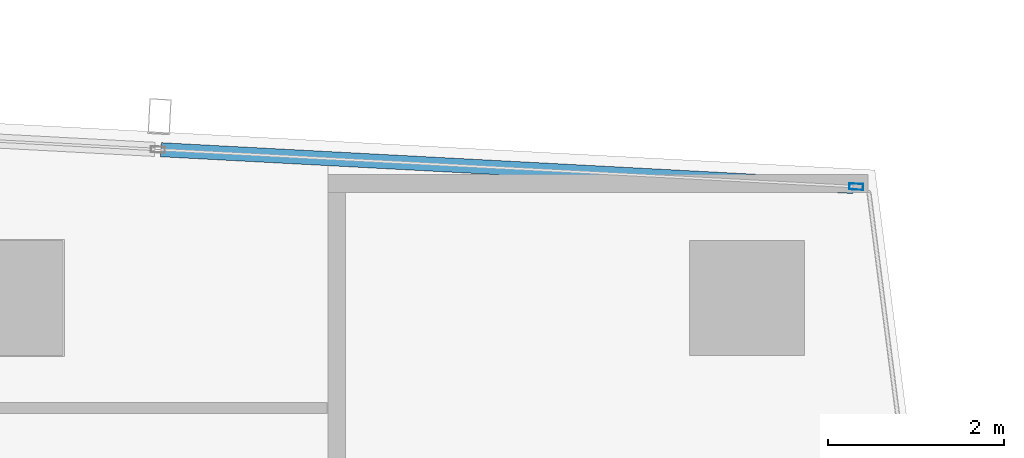
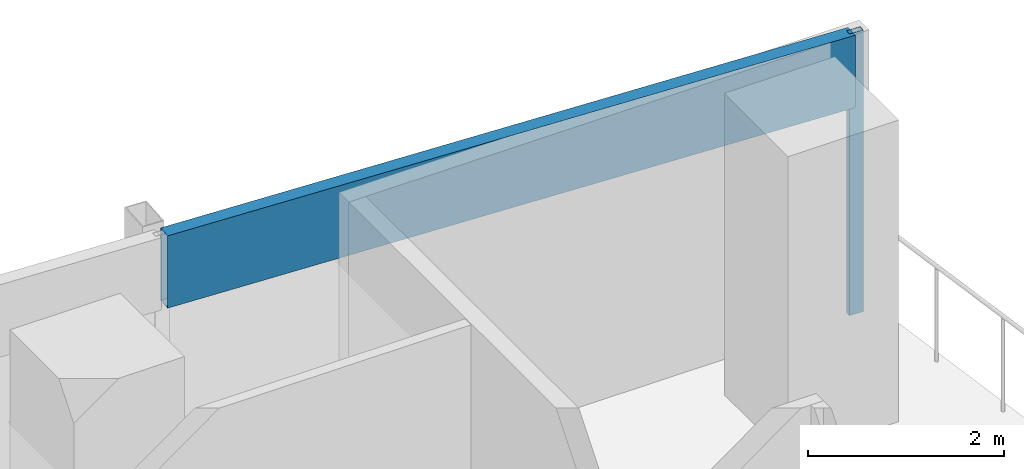
# One storey, part 17 of 26: 2 members, 1 element without a shape of its own.
"""IFC4 building model written with IfcOpenShell, lengths in metres."""

from ifc_helpers import new_model, si_unit, direction, frame, origin, origin_2d, place, context, subcontext, project, spatial, hollow_rectangle, extrude, material, material_profile, profile_set, type_object, element, aggregate, save


model = new_model("IFC4")

# Units and contexts
model_context = context("Model", 3, precision=1e-05, world=origin(), true_north=direction((0.0, 1.0)))
body_context = subcontext(model_context, "Body", "Model", "MODEL_VIEW")
ifc_project = project(units=[si_unit("LENGTHUNIT", "METRE"), si_unit("AREAUNIT", "SQUARE_METRE"), si_unit("VOLUMEUNIT", "CUBIC_METRE"), si_unit("PLANEANGLEUNIT", "RADIAN"), si_unit("MASSUNIT", "GRAM", prefix="KILO")], contexts=[model_context])

# Site, building, storey
site_placement = place(None, origin())
site = spatial("IfcSite", under=ifc_project, at=site_placement, CompositionType="ELEMENT")
building_placement = place(site_placement, origin())
building = spatial("IfcBuilding", under=site, at=building_placement, Name="Rekha Terrace Tower", CompositionType="ELEMENT")
storey_placement = place(building_placement, frame((0.0, 0.0, 283.85009765625)))
storey = spatial("IfcBuildingStorey", under=building, at=storey_placement, Name="L72", CompositionType="ELEMENT", Elevation=283.85009765625)

# Curtain wall, members
ifc_material_1 = material(Name="Aluminium framing", Category="aluminium")
curtain_wall_type = type_object("IfcCurtainWallType", Name="CW3 north unitised glazing", PredefinedType="USERDEFINED", material=ifc_material_1)
curtain_wall_placement = place(storey_placement, origin())
curtain_wall = element("IfcCurtainWall", 1, at=curtain_wall_placement, inside=storey, type_object=curtain_wall_type, Name="CW3 unitised curtain wall", ObjectType="UNITISED CURTAIN WALL", PredefinedType="USERDEFINED")
ifc_material_2 = material(Name="Aluminium mullion section", Category="aluminium")
ifc_material_profile_1 = material_profile(ifc_material_2, hollow_rectangle(XDim=0.070068359375, YDim=0.159912109375, WallThickness=0.00390625, at=origin_2d()), Name="AL RHS 70x160")
ifc_profile_set_1 = profile_set([ifc_material_profile_1], Name="Aluminium mullion section")
member_type_1 = type_object("IfcMemberType", Name="CW3 mullion RHS 70 x 160", PredefinedType="MULLION", material=ifc_profile_set_1)
member_1_placement = place(storey_placement, frame((60.0380859375, 51.660888671875, 0.0), z_axis=(0.0, 0.0, 1.0), x_axis=(-0.053083275524, -0.998590089005, 0.0)))
member_1 = element("IfcMember", 2, at=member_1_placement, type_object=member_type_1, Name="CW3 mullion 1", PredefinedType="MULLION", context=body_context, shape_type="SweptSolid", body=[
    extrude(hollow_rectangle(XDim=0.070068359375, YDim=0.159912109375, WallThickness=0.00390625, at=origin_2d()), origin(), (0.0, 0.0, 1.0), 3.5),
])
ifc_material_3 = material(Name="Insulated aluminium spandrel box", Category="aluminium")
ifc_material_profile_2 = material_profile(ifc_material_3, hollow_rectangle(XDim=0.159912109375, YDim=0.89990234375, WallThickness=0.0029296875, at=origin_2d()), Name="AL SPANDREL BOX 160x900")
ifc_profile_set_2 = profile_set([ifc_material_profile_2], Name="Insulated aluminium spandrel box")
member_type_2 = type_object("IfcMemberType", Name="CW3 spandrel transom 160 x 900", PredefinedType="USERDEFINED", material=ifc_profile_set_2)
member_2_placement = place(storey_placement, frame((60.003173828125, 51.662841796875, 3.0498046875), z_axis=(-0.99859048353, 0.053075853302, 0.0), x_axis=(-0.053075853302, -0.99859048353, 0.0)))
member_2 = element("IfcMember", 3, at=member_2_placement, type_object=member_type_2, Name="CW3 spandrel transom 1", ObjectType="TRANSOM", PredefinedType="USERDEFINED", context=body_context, shape_type="SweptSolid", body=[
    extrude(hollow_rectangle(XDim=0.159912109375, YDim=0.89990234375, WallThickness=0.0029296875, at=origin_2d()), origin(), (0.0, 0.0, 1.0), 7.8564453125),
])
aggregate(curtain_wall, [member_1, member_2])

save(model, "model.ifc")
